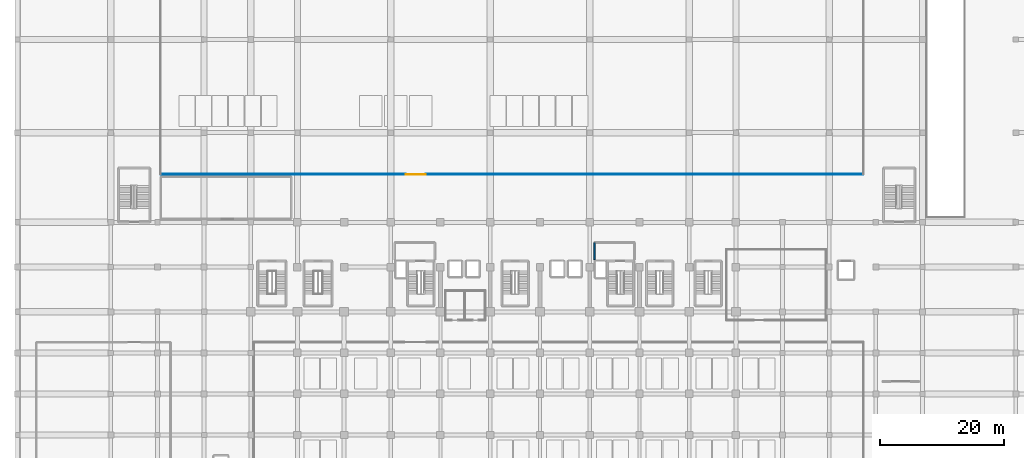
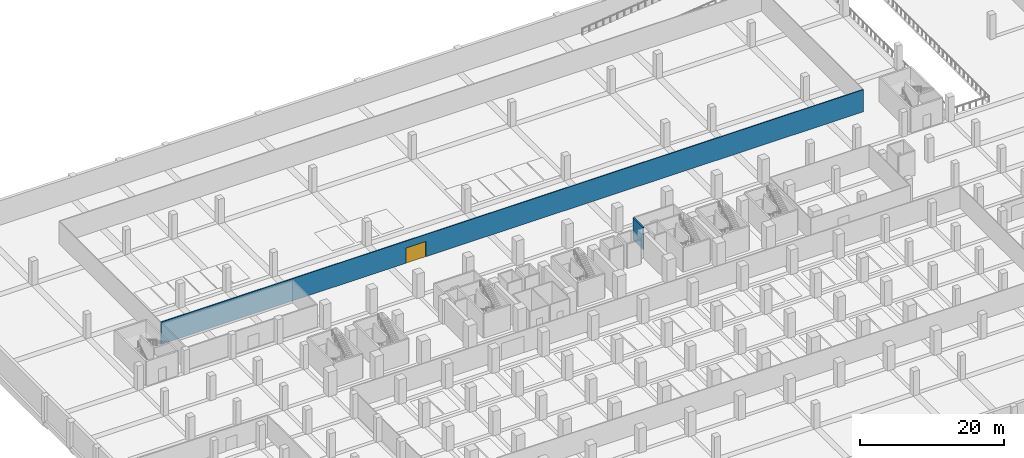
# One storey, part 13 of 25: 2 walls, 1 door, 1 opening.
"""IFC4 building model written with IfcOpenShell, lengths in metres."""

from ifc_helpers import new_model, si_unit, direction, frame, frame_2d, origin, place, context, subcontext, project, spatial, rectangle, extrude, material, layer, layer_set, type_object, element, fill, save


model = new_model("IFC4")

# Units and contexts
model_context = context("Model", 3, precision=1e-05, world=origin(), true_north=direction((0.0, 1.0)))
body_context = subcontext(model_context, "Body", "Model", "MODEL_VIEW")
ifc_project = project(units=[si_unit("LENGTHUNIT", "METRE"), si_unit("AREAUNIT", "SQUARE_METRE"), si_unit("VOLUMEUNIT", "CUBIC_METRE"), si_unit("PLANEANGLEUNIT", "RADIAN"), si_unit("MASSUNIT", "GRAM", prefix="KILO")], contexts=[model_context])

# Site, building, storey
site_placement = place(None, origin())
site = spatial("IfcSite", under=ifc_project, at=site_placement, CompositionType="ELEMENT")
building_placement = place(site_placement, origin())
building = spatial("IfcBuilding", under=site, at=building_placement, Name="Akrevak Sports Hall", CompositionType="ELEMENT")
storey_placement = place(building_placement, frame((0.0, 0.0, -4.5)))
storey = spatial("IfcBuildingStorey", under=building, at=storey_placement, Name="B01", CompositionType="ELEMENT", Elevation=-4.5)

# Wall, opening, door
ifc_material_1 = material(Name="Acoustic Metal Stud Partition", Category="gypsum")
ifc_layer_1 = layer(ifc_material_1, 0.1298828125, Name="Acoustic Metal Stud Partition")
ifc_layer_set_1 = layer_set([ifc_layer_1], Name="Acoustic Metal Stud Partition")
wall_type_1 = type_object("IfcWallType", Name="ARC-WL-PRT-130", PredefinedType="PARTITIONING", material=ifc_layer_set_1)
wall_1_placement = place(storey_placement, frame((23.0, 77.300048828125, 0.0), z_axis=(0.0, 0.0, 1.0), x_axis=(1.0, 0.0, 0.0)))
wall_1 = element("IfcWall", 1, at=wall_1_placement, inside=storey, type_object=wall_type_1, Name="Interior Partition Underground Car Park Hall North B01 (S)", PredefinedType="PARTITIONING", context=body_context, shape_type="SweptSolid", body=[
    extrude(rectangle(XDim=113.0, YDim=0.1298828125, at=frame_2d((56.5, 0.0))), origin(), (0.0, 0.0, 1.0), 3.780029296875),
])
opening_placement = place(wall_1_placement, frame((39.39990234375, 0.0, 0.0)))
opening = element("IfcOpeningElement", 2, at=opening_placement, cuts=wall_1, Name="Opening GT-02", PredefinedType="OPENING", context=body_context, shape_type="SweptSolid", body=[
    extrude(rectangle(XDim=3.199951171875, YDim=2.60009765625, at=frame_2d((1.60009765625, 1.300048828125))), frame((0.0, 0.076904296875, 0.0), z_axis=(0.0, -1.0, 0.0), x_axis=(1.0, 0.0, 0.0)), (0.0, 0.0, 1.0), 0.15380859375),
])
ifc_material_2 = material(Name="Galvanized Roller Shutter Steel", Category="steel")
door_type = type_object("IfcDoorType", Name="ARC-DR-GATE-320x260", OperationType="ROLLINGUP", PredefinedType="GATE", material=ifc_material_2)
door_placement = place(opening_placement, origin())
door = element("IfcDoor", 3, at=door_placement, inside=storey, type_object=door_type, Name="Door to Underground Car Park Hall North B01", OperationType="ROLLINGUP", OverallHeight=2.60009765625, OverallWidth=3.199951171875, PredefinedType="GATE", context=body_context, shape_type="SweptSolid", body=[
    extrude(rectangle(XDim=3.199951171875, YDim=2.60009765625, at=frame_2d((1.60009765625, 1.300048828125))), frame((0.0, 0.02490234375, 0.0), z_axis=(0.0, -1.0, 0.0), x_axis=(1.0, 0.0, 0.0)), (0.0, 0.0, 1.0), 0.050048828125),
])
fill(opening, door)

# Wall
ifc_material_3 = material(Name="Concrete C40/50", Category="concrete")
ifc_layer_2 = layer(ifc_material_3, 0.219970703125, Name="Concrete C40/50")
ifc_layer_set_2 = layer_set([ifc_layer_2], Name="Concrete C40/50")
wall_type_2 = type_object("IfcWallType", Name="ARC-WL-PRT-220", PredefinedType="PARTITIONING", material=ifc_layer_set_2)
wall_2_placement = place(storey_placement, frame((92.75, 63.60009765625, 0.0), z_axis=(0.0, 0.0, 1.0), x_axis=(0.0, 1.0, 0.0)))
element("IfcWall", 4, at=wall_2_placement, inside=storey, type_object=wall_type_2, Name="Interior Partition Firefighting Lobby East B01 (W)", PredefinedType="PARTITIONING", context=body_context, shape_type="SweptSolid", body=[
    extrude(rectangle(XDim=2.75, YDim=0.219970703125, at=frame_2d((1.375, 0.0))), origin(), (0.0, 0.0, 1.0), 3.780029296875),
])

save(model, "model.ifc")
